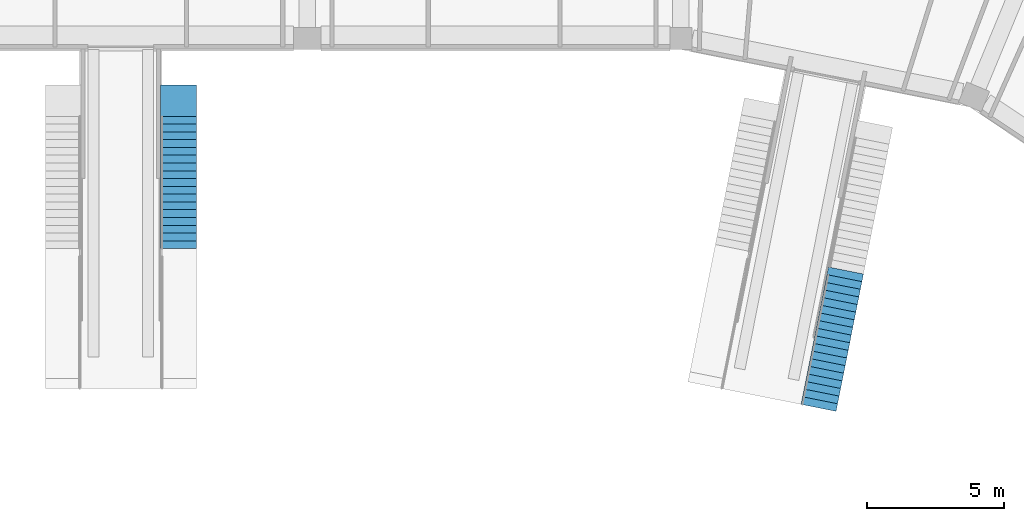
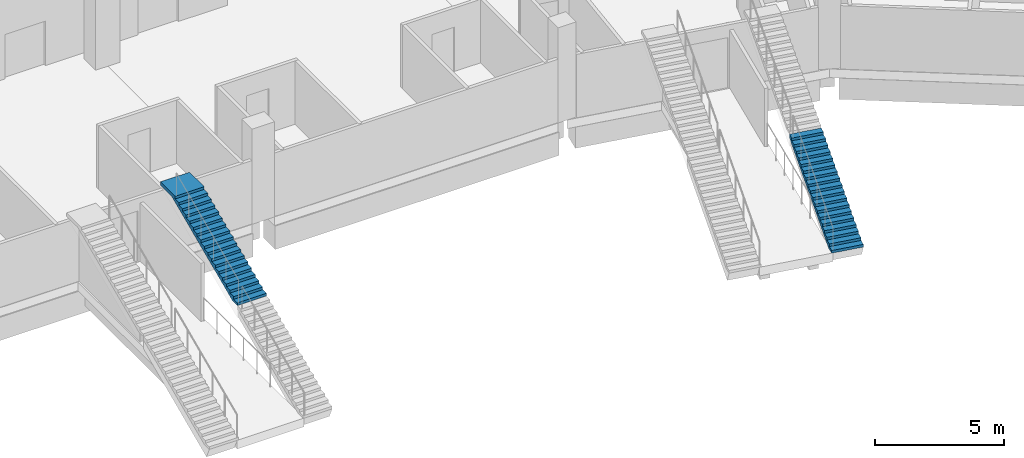
# One storey, part 126 of 175: 2 stair flights, 2 elements without a shape of their own.
"""IFC4 building model written with IfcOpenShell, lengths in metres."""

import ifcopenshell
import ifcopenshell.guid

model = None  # the IFC model being written
_history = None  # IfcOwnerHistory: only IFC2X3 demands one
_inside = {}  # id of a spatial element -> (the spatial element, [elements in it])
_under = {}  # id of a project, library or spatial element -> (it, [spatial elements below it])
_declared = {}  # id of a project -> (the project, [libraries it declares])
_typed = {}  # id of a type object -> (the type object, [elements of that type])
_made_of = {}  # id of a material, layer set ... -> (it, [elements and type objects made of it])


def new_model(schema):
    """Start an empty IFC model of exactly this schema.

    Asked for "IFC4X3", IfcOpenShell would pick the latest addendum, in which some entities
    have other attributes; the version numbers below select the first issue.
    IFC2X3 requires an IfcOwnerHistory on every rooted entity: one is made here for all.
    """
    global model, _history
    if schema == "IFC4X3":
        model = ifcopenshell.file(schema_version=(4, 3, 0, 0))
    else:
        model = ifcopenshell.file(schema=schema)
    _inside.clear()
    _under.clear()
    _declared.clear()
    _typed.clear()
    _made_of.clear()
    _history = None
    if model.schema == "IFC2X3":
        org = make("IfcOrganization", Name="unknown")
        user = make(
            "IfcPersonAndOrganization",
            ThePerson=make("IfcPerson", FamilyName="unknown"),
            TheOrganization=org,
        )
        app = make(
            "IfcApplication",
            ApplicationDeveloper=org,
            Version="unknown",
            ApplicationFullName="unknown",
            ApplicationIdentifier="unknown",
        )
        _history = make(
            "IfcOwnerHistory",
            OwningUser=user,
            OwningApplication=app,
            ChangeAction="ADDED",
            CreationDate=0,
        )
    return model


def make(cls, **values):
    """One entity of the class cls with the attributes given. An attribute that is None is left unset."""
    return model.create_entity(
        cls, **{name: value for name, value in values.items() if value is not None}
    )


def rooted(cls, **values):
    """An entity with a GlobalId (a new one), such as an element, a storey or a relation."""
    return make(cls, GlobalId=ifcopenshell.guid.new(), OwnerHistory=_history, **values)


def si_unit(unit_type, name, prefix=None):
    """IfcSIUnit, for example si_unit("LENGTHUNIT", "METRE", prefix="MILLI")."""
    return make("IfcSIUnit", UnitType=unit_type, Prefix=prefix, Name=name)


def assignment(units):
    """IfcUnitAssignment: the units of a project."""
    return None if units is None else make("IfcUnitAssignment", Units=units)


def point(xyz):
    """IfcCartesianPoint."""
    return None if xyz is None else make("IfcCartesianPoint", Coordinates=xyz)


def direction(xyz):
    """IfcDirection."""
    return None if xyz is None else make("IfcDirection", DirectionRatios=xyz)


def frame(location, z_axis=None, x_axis=None):
    """IfcAxis2Placement3D, a coordinate frame: its origin and axes. An axis left out is left unset."""
    return make(
        "IfcAxis2Placement3D",
        Location=point(location),
        Axis=direction(z_axis),
        RefDirection=direction(x_axis),
    )


def origin():
    """The frame at (0, 0, 0) with its axes left unset."""
    return frame((0.0, 0.0, 0.0))


def place(relative_to, where):
    """IfcLocalPlacement: puts the frame where relative to a parent placement (None: the world)."""
    return make(
        "IfcLocalPlacement", PlacementRelTo=relative_to, RelativePlacement=where
    )


def context(
    kind, dimensions, precision=None, world=None, true_north=None, identifier=None
):
    """IfcGeometricRepresentationContext, for example the 3D "Model" context."""
    return make(
        "IfcGeometricRepresentationContext",
        ContextIdentifier=identifier,
        ContextType=kind,
        CoordinateSpaceDimension=dimensions,
        Precision=precision,
        WorldCoordinateSystem=world,
        TrueNorth=true_north,
    )


def subcontext(parent, identifier, kind, view, scale=None):
    """IfcGeometricRepresentationSubContext, for example "Body" below "Model"."""
    return make(
        "IfcGeometricRepresentationSubContext",
        ContextIdentifier=identifier,
        ContextType=kind,
        ParentContext=parent,
        TargetScale=scale,
        TargetView=view,
    )


def project(units=None, contexts=None):
    """IfcProject with its units and contexts."""
    return rooted(
        "IfcProject",
        Name="project",
        RepresentationContexts=contexts,
        UnitsInContext=assignment(units),
    )


def spatial(cls, under=None, at=None, **own):
    """A site, building, storey or space (cls), placed at a placement, below another one or the project."""
    s = rooted(cls, ObjectPlacement=at, **own)
    if under is not None:
        _under.setdefault(under.id(), (under, []))[1].append(s)
    return s


def faces_of(points, faces, orient=None, outer=None):
    """IfcFace entities. A face is a list of loops; a loop is a list of indices into points, from 0.

    orient and outer hold one flag for each loop. By default every Orientation is true, the
    first loop of a face is its IfcFaceOuterBound and the others are IfcFaceBound.
    """
    made = []
    for i, loops in enumerate(faces):
        bounds = []
        for j, loop in enumerate(loops):
            is_outer = j == 0 if outer is None else outer[i][j]
            bounds.append(
                make(
                    "IfcFaceOuterBound" if is_outer else "IfcFaceBound",
                    Bound=make("IfcPolyLoop", Polygon=[points[k] for k in loop]),
                    Orientation=True if orient is None else orient[i][j],
                )
            )
        made.append(make("IfcFace", Bounds=bounds))
    return made


def faceted_brep(points, faces, orient=None, outer=None, voids=None):
    """IfcFacetedBrep: a solid bounded by flat faces; with voids (closed shells), ...WithVoids."""
    shared = [point(p) for p in points]
    hull = make("IfcClosedShell", CfsFaces=faces_of(shared, faces, orient, outer))
    if voids is None:
        return make("IfcFacetedBrep", Outer=hull)
    return make(
        "IfcFacetedBrepWithVoids",
        Outer=hull,
        Voids=[
            make(cls, CfsFaces=faces_of(shared, fs, o, b)) for cls, fs, o, b in voids
        ],
    )


def shape(context_of_items, identifier, shape_type, items):
    """IfcShapeRepresentation: the items that make up one representation, for example the "Body"."""
    return make(
        "IfcShapeRepresentation",
        ContextOfItems=context_of_items,
        RepresentationIdentifier=identifier,
        RepresentationType=shape_type,
        Items=items,
    )


def material(Name=None, Category=None):
    """IfcMaterial."""
    return make("IfcMaterial", Name=Name, Category=Category)


def made_of(thing, what):
    """Note that an element or type object is made of a material, layer set ...; save() writes the relation."""
    if what is not None:
        _made_of.setdefault(what.id(), (what, []))[1].append(thing)
    return thing


def type_object(cls, material=None, **own):
    """A type object (cls), such as IfcWallType, which elements share."""
    return made_of(rooted(cls, **own), material)


def element(
    cls,
    number,
    at=None,
    inside=None,
    cuts=None,
    type_object=None,
    material=None,
    context=None,
    identifier="Body",
    shape_type=None,
    held_by="IfcProductDefinitionShape",
    body=None,
    shapes=None,
    **own,
):
    """One element of the class cls, such as IfcWall. Its Tag is "e" and its number.

    at: its placement. inside: the storey or other place that contains it. cuts: it is an
    opening in that element (IfcRelVoidsElement). A single representation is given by context,
    identifier, shape_type and body (its items); several are given by shapes. held_by: the class
    of the entity that holds the representations. save() writes the other relations.
    """
    e = rooted(cls, Tag="e%d" % number, ObjectPlacement=at, **own)
    if body is not None:
        shapes = [shape(context, identifier, shape_type, body)]
    if shapes is not None:
        e.Representation = make(held_by, Representations=shapes)
    if inside is not None:
        _inside.setdefault(inside.id(), (inside, []))[1].append(e)
    if cuts is not None:
        rooted(
            "IfcRelVoidsElement", RelatingBuildingElement=cuts, RelatedOpeningElement=e
        )
    if type_object is not None:
        _typed.setdefault(type_object.id(), (type_object, []))[1].append(e)
    return made_of(e, material)


def aggregate(whole, parts):
    """IfcRelAggregates: a whole, such as a stair, and the parts it consists of."""
    return rooted("IfcRelAggregates", RelatingObject=whole, RelatedObjects=parts)


def save(model, path):
    """Write the relations noted so far, then the file.

    IfcRelAggregates (storeys below a building ...), IfcRelContainedInSpatialStructure (elements
    in a storey), IfcRelDefinesByType, IfcRelAssociatesMaterial and IfcRelDeclares: one each for
    every whole, place, type object, material and project.
    """
    for whole, parts in _under.values():
        aggregate(whole, parts)
    for where, things in _inside.values():
        rooted(
            "IfcRelContainedInSpatialStructure",
            RelatedElements=things,
            RelatingStructure=where,
        )
    for kind, things in _typed.values():
        rooted("IfcRelDefinesByType", RelatedObjects=things, RelatingType=kind)
    for what, things in _made_of.values():
        rooted("IfcRelAssociatesMaterial", RelatedObjects=things, RelatingMaterial=what)
    for by, libraries in _declared.values():
        rooted("IfcRelDeclares", RelatingContext=by, RelatedDefinitions=libraries)
    model.write(path)


model = new_model("IFC4")

# Units and contexts
model_context = context("Model", 3, precision=1e-05, world=origin(), true_north=direction((0.0, 1.0)))
body_context = subcontext(model_context, "Body", "Model", "MODEL_VIEW")
ifc_project = project(units=[si_unit("LENGTHUNIT", "METRE"), si_unit("AREAUNIT", "SQUARE_METRE"), si_unit("VOLUMEUNIT", "CUBIC_METRE"), si_unit("PLANEANGLEUNIT", "RADIAN"), si_unit("MASSUNIT", "GRAM", prefix="KILO")], contexts=[model_context])

# Site, building, storey
site_placement = place(None, origin())
site = spatial("IfcSite", under=ifc_project, at=site_placement, CompositionType="ELEMENT")
building_placement = place(site_placement, origin())
building = spatial("IfcBuilding", under=site, at=building_placement, Name="Ogive Plaza Stadium", CompositionType="ELEMENT")
storey_placement = place(building_placement, origin())
storey = spatial("IfcBuildingStorey", under=building, at=storey_placement, Name="L00", CompositionType="ELEMENT", Elevation=0.0)

# Stair, stair flight
ifc_material_1 = material(Name="Concrete C40/50", Category="concrete")
stair_type = type_object("IfcStairType", Name="Aisle stair", PredefinedType="STRAIGHT_RUN_STAIR", material=ifc_material_1)
stair_1_placement = place(storey_placement, origin())
stair_1 = element("IfcStair", 1, at=stair_1_placement, inside=storey, type_object=stair_type, Name="Aisle stair SA35L", PredefinedType="STRAIGHT_RUN_STAIR")
ifc_material_2 = material(Name="Concrete C40/50", Category="concrete")
stair_flight_type = type_object("IfcStairFlightType", Name="Aisle stair flight", PredefinedType="STRAIGHT", material=ifc_material_2)
stair_flight_1_placement = place(storey_placement, frame((15.699951171875, 72.75, 2.25), z_axis=(0.0, 0.0, 1.0), x_axis=(0.0, 1.0, 0.0)))
stair_flight_1 = element("IfcStairFlight", 2, at=stair_flight_1_placement, type_object=stair_flight_type, Name="SA35L flight 2", NumberOfRisers=18, NumberOfTreads=17, PredefinedType="STRAIGHT", RiserHeight=0.125, TreadLength=0.283333333, context=body_context, shape_type="Brep", body=[
    faceted_brep([(0.371337890625, -0.64990234375, 0.0), (5.10009765625, -0.64990234375, 2.086181640625), (5.949951171875, -0.64990234375, 2.086181640625), (5.949951171875, -0.64990234375, 2.25), (4.816650390625, -0.64990234375, 2.25), (4.816650390625, -0.64990234375, 2.125), (4.533447265625, -0.64990234375, 2.125), (4.533447265625, -0.64990234375, 2.0), (4.25, -0.64990234375, 2.0), (4.25, -0.64990234375, 1.875), (3.966552734375, -0.64990234375, 1.875), (3.966552734375, -0.64990234375, 1.75), (3.683349609375, -0.64990234375, 1.75), (3.683349609375, -0.64990234375, 1.625), (3.39990234375, -0.64990234375, 1.625), (3.39990234375, -0.64990234375, 1.5), (3.11669921875, -0.64990234375, 1.5), (3.11669921875, -0.64990234375, 1.375), (2.833251953125, -0.64990234375, 1.375), (2.833251953125, -0.64990234375, 1.25), (2.550048828125, -0.64990234375, 1.25), (2.550048828125, -0.64990234375, 1.125), (2.2666015625, -0.64990234375, 1.125), (2.2666015625, -0.64990234375, 1.0), (1.9833984375, -0.64990234375, 1.0), (1.9833984375, -0.64990234375, 0.875), (1.699951171875, -0.64990234375, 0.875), (1.699951171875, -0.64990234375, 0.75), (1.416748046875, -0.64990234375, 0.75), (1.416748046875, -0.64990234375, 0.625), (1.13330078125, -0.64990234375, 0.625), (1.13330078125, -0.64990234375, 0.5), (0.85009765625, -0.64990234375, 0.5), (0.85009765625, -0.64990234375, 0.375), (0.566650390625, -0.64990234375, 0.375), (0.566650390625, -0.64990234375, 0.25), (0.283447265625, -0.64990234375, 0.25), (0.283447265625, -0.64990234375, 0.125), (0.0, -0.64990234375, 0.125), (0.0, -0.64990234375, 0.0), (0.0, 0.64990234375, 0.0), (0.0, 0.64990234375, 0.125), (0.283447265625, 0.64990234375, 0.125), (0.283447265625, 0.64990234375, 0.25), (0.566650390625, 0.64990234375, 0.25), (0.566650390625, 0.64990234375, 0.375), (0.85009765625, 0.64990234375, 0.375), (0.85009765625, 0.64990234375, 0.5), (1.13330078125, 0.64990234375, 0.5), (1.13330078125, 0.64990234375, 0.625), (1.416748046875, 0.64990234375, 0.625), (1.416748046875, 0.64990234375, 0.75), (1.699951171875, 0.64990234375, 0.75), (1.699951171875, 0.64990234375, 0.875), (1.9833984375, 0.64990234375, 0.875), (1.9833984375, 0.64990234375, 1.0), (2.2666015625, 0.64990234375, 1.0), (2.2666015625, 0.64990234375, 1.125), (2.550048828125, 0.64990234375, 1.125), (2.550048828125, 0.64990234375, 1.25), (2.833251953125, 0.64990234375, 1.25), (2.833251953125, 0.64990234375, 1.375), (3.11669921875, 0.64990234375, 1.375), (3.11669921875, 0.64990234375, 1.5), (3.39990234375, 0.64990234375, 1.5), (3.39990234375, 0.64990234375, 1.625), (3.683349609375, 0.64990234375, 1.625), (3.683349609375, 0.64990234375, 1.75), (3.966552734375, 0.64990234375, 1.75), (3.966552734375, 0.64990234375, 1.875), (4.25, 0.64990234375, 1.875), (4.25, 0.64990234375, 2.0), (4.533447265625, 0.64990234375, 2.0), (4.533447265625, 0.64990234375, 2.125), (4.816650390625, 0.64990234375, 2.125), (4.816650390625, 0.64990234375, 2.25), (5.949951171875, 0.64990234375, 2.25), (5.949951171875, 0.64990234375, 2.086181640625), (5.10009765625, 0.64990234375, 2.086181640625), (0.371337890625, 0.64990234375, 0.0), (0.371337890625, -0.324951171875, 0.0), (5.10009765625, -0.324951171875, 2.086181640625), (0.371337890625, 0.0, 0.0), (5.10009765625, 0.0, 2.086181640625), (0.371337890625, 0.324951171875, 0.0), (5.10009765625, 0.324951171875, 2.086181640625), (5.949951171875, -0.324951171875, 2.086181640625), (5.949951171875, 0.0, 2.086181640625), (5.949951171875, 0.324951171875, 2.086181640625), (5.949951171875, -0.324951171875, 2.25), (5.949951171875, 0.0, 2.25), (5.949951171875, 0.324951171875, 2.25), (4.816650390625, -0.324951171875, 2.25), (4.816650390625, 0.0, 2.25), (4.816650390625, 0.324951171875, 2.25), (4.816650390625, -0.324951171875, 2.125), (4.816650390625, 0.0, 2.125), (4.816650390625, 0.324951171875, 2.125), (4.533447265625, -0.324951171875, 2.125), (4.533447265625, 0.0, 2.125), (4.533447265625, 0.324951171875, 2.125), (4.533447265625, -0.324951171875, 2.0), (4.533447265625, 0.0, 2.0), (4.533447265625, 0.324951171875, 2.0), (4.25, -0.324951171875, 2.0), (4.25, 0.0, 2.0), (4.25, 0.324951171875, 2.0), (4.25, -0.324951171875, 1.875), (4.25, 0.0, 1.875), (4.25, 0.324951171875, 1.875), (3.966552734375, -0.324951171875, 1.875), (3.966552734375, 0.0, 1.875), (3.966552734375, 0.324951171875, 1.875), (3.966552734375, -0.324951171875, 1.75), (3.966552734375, 0.0, 1.75), (3.966552734375, 0.324951171875, 1.75), (3.683349609375, -0.324951171875, 1.75), (3.683349609375, 0.0, 1.75), (3.683349609375, 0.324951171875, 1.75), (3.683349609375, -0.324951171875, 1.625), (3.683349609375, 0.0, 1.625), (3.683349609375, 0.324951171875, 1.625), (3.39990234375, -0.324951171875, 1.625), (3.39990234375, 0.0, 1.625), (3.39990234375, 0.324951171875, 1.625), (3.39990234375, -0.324951171875, 1.5), (3.39990234375, 0.0, 1.5), (3.39990234375, 0.324951171875, 1.5), (3.11669921875, -0.324951171875, 1.5), (3.11669921875, 0.0, 1.5), (3.11669921875, 0.324951171875, 1.5), (3.11669921875, -0.324951171875, 1.375), (3.11669921875, 0.0, 1.375), (3.11669921875, 0.324951171875, 1.375), (2.833251953125, -0.324951171875, 1.375), (2.833251953125, 0.0, 1.375), (2.833251953125, 0.324951171875, 1.375), (2.833251953125, -0.324951171875, 1.25), (2.833251953125, 0.0, 1.25), (2.833251953125, 0.324951171875, 1.25), (2.550048828125, -0.324951171875, 1.25), (2.550048828125, 0.0, 1.25), (2.550048828125, 0.324951171875, 1.25), (2.550048828125, -0.324951171875, 1.125), (2.550048828125, 0.0, 1.125), (2.550048828125, 0.324951171875, 1.125), (2.2666015625, -0.324951171875, 1.125), (2.2666015625, 0.0, 1.125), (2.2666015625, 0.324951171875, 1.125), (2.2666015625, -0.324951171875, 1.0), (2.2666015625, 0.0, 1.0), (2.2666015625, 0.324951171875, 1.0), (1.9833984375, -0.324951171875, 1.0), (1.9833984375, 0.0, 1.0), (1.9833984375, 0.324951171875, 1.0), (1.9833984375, -0.324951171875, 0.875), (1.9833984375, 0.0, 0.875), (1.9833984375, 0.324951171875, 0.875), (1.699951171875, -0.324951171875, 0.875), (1.699951171875, 0.0, 0.875), (1.699951171875, 0.324951171875, 0.875), (1.699951171875, -0.324951171875, 0.75), (1.699951171875, 0.0, 0.75), (1.699951171875, 0.324951171875, 0.75), (1.416748046875, -0.324951171875, 0.75), (1.416748046875, 0.0, 0.75), (1.416748046875, 0.324951171875, 0.75), (1.416748046875, -0.324951171875, 0.625), (1.416748046875, 0.0, 0.625), (1.416748046875, 0.324951171875, 0.625), (1.13330078125, -0.324951171875, 0.625), (1.13330078125, 0.0, 0.625), (1.13330078125, 0.324951171875, 0.625), (1.13330078125, -0.324951171875, 0.5), (1.13330078125, 0.0, 0.5), (1.13330078125, 0.324951171875, 0.5), (0.85009765625, -0.324951171875, 0.5), (0.85009765625, 0.0, 0.5), (0.85009765625, 0.324951171875, 0.5), (0.85009765625, -0.324951171875, 0.375), (0.85009765625, 0.0, 0.375), (0.85009765625, 0.324951171875, 0.375), (0.566650390625, -0.324951171875, 0.375), (0.566650390625, 0.0, 0.375), (0.566650390625, 0.324951171875, 0.375), (0.566650390625, -0.324951171875, 0.25), (0.566650390625, 0.0, 0.25), (0.566650390625, 0.324951171875, 0.25), (0.283447265625, -0.324951171875, 0.25), (0.283447265625, 0.0, 0.25), (0.283447265625, 0.324951171875, 0.25), (0.283447265625, -0.324951171875, 0.125), (0.283447265625, 0.0, 0.125), (0.283447265625, 0.324951171875, 0.125), (0.0, -0.324951171875, 0.125), (0.0, 0.0, 0.125), (0.0, 0.324951171875, 0.125), (0.0, -0.324951171875, 0.0), (0.0, 0.0, 0.0), (0.0, 0.324951171875, 0.0)], [[[0, 1, 2, 3, 4, 5, 6, 7, 8, 9, 10, 11, 12, 13, 14, 15, 16, 17, 18, 19, 20, 21, 22, 23, 24, 25, 26, 27, 28, 29, 30, 31, 32, 33, 34, 35, 36, 37, 38, 39]], [[40, 41, 42, 43, 44, 45, 46, 47, 48, 49, 50, 51, 52, 53, 54, 55, 56, 57, 58, 59, 60, 61, 62, 63, 64, 65, 66, 67, 68, 69, 70, 71, 72, 73, 74, 75, 76, 77, 78, 79]], [[0, 80, 81, 1]], [[80, 82, 83, 81]], [[82, 84, 85, 83]], [[84, 79, 78, 85]], [[1, 81, 86, 2]], [[81, 83, 87, 86]], [[83, 85, 88, 87]], [[85, 78, 77, 88]], [[2, 86, 89, 3]], [[86, 87, 90, 89]], [[87, 88, 91, 90]], [[88, 77, 76, 91]], [[3, 89, 92, 4]], [[89, 90, 93, 92]], [[90, 91, 94, 93]], [[91, 76, 75, 94]], [[4, 92, 95, 5]], [[92, 93, 96, 95]], [[93, 94, 97, 96]], [[94, 75, 74, 97]], [[5, 95, 98, 6]], [[95, 96, 99, 98]], [[96, 97, 100, 99]], [[97, 74, 73, 100]], [[6, 98, 101, 7]], [[98, 99, 102, 101]], [[99, 100, 103, 102]], [[100, 73, 72, 103]], [[7, 101, 104, 8]], [[101, 102, 105, 104]], [[102, 103, 106, 105]], [[103, 72, 71, 106]], [[8, 104, 107, 9]], [[104, 105, 108, 107]], [[105, 106, 109, 108]], [[106, 71, 70, 109]], [[9, 107, 110, 10]], [[107, 108, 111, 110]], [[108, 109, 112, 111]], [[109, 70, 69, 112]], [[10, 110, 113, 11]], [[110, 111, 114, 113]], [[111, 112, 115, 114]], [[112, 69, 68, 115]], [[11, 113, 116, 12]], [[113, 114, 117, 116]], [[114, 115, 118, 117]], [[115, 68, 67, 118]], [[12, 116, 119, 13]], [[116, 117, 120, 119]], [[117, 118, 121, 120]], [[118, 67, 66, 121]], [[13, 119, 122, 14]], [[119, 120, 123, 122]], [[120, 121, 124, 123]], [[121, 66, 65, 124]], [[14, 122, 125, 15]], [[122, 123, 126, 125]], [[123, 124, 127, 126]], [[124, 65, 64, 127]], [[15, 125, 128, 16]], [[125, 126, 129, 128]], [[126, 127, 130, 129]], [[127, 64, 63, 130]], [[16, 128, 131, 17]], [[128, 129, 132, 131]], [[129, 130, 133, 132]], [[130, 63, 62, 133]], [[17, 131, 134, 18]], [[131, 132, 135, 134]], [[132, 133, 136, 135]], [[133, 62, 61, 136]], [[18, 134, 137, 19]], [[134, 135, 138, 137]], [[135, 136, 139, 138]], [[136, 61, 60, 139]], [[19, 137, 140, 20]], [[137, 138, 141, 140]], [[138, 139, 142, 141]], [[139, 60, 59, 142]], [[20, 140, 143, 21]], [[140, 141, 144, 143]], [[141, 142, 145, 144]], [[142, 59, 58, 145]], [[21, 143, 146, 22]], [[143, 144, 147, 146]], [[144, 145, 148, 147]], [[145, 58, 57, 148]], [[22, 146, 149, 23]], [[146, 147, 150, 149]], [[147, 148, 151, 150]], [[148, 57, 56, 151]], [[23, 149, 152, 24]], [[149, 150, 153, 152]], [[150, 151, 154, 153]], [[151, 56, 55, 154]], [[24, 152, 155, 25]], [[152, 153, 156, 155]], [[153, 154, 157, 156]], [[154, 55, 54, 157]], [[25, 155, 158, 26]], [[155, 156, 159, 158]], [[156, 157, 160, 159]], [[157, 54, 53, 160]], [[26, 158, 161, 27]], [[158, 159, 162, 161]], [[159, 160, 163, 162]], [[160, 53, 52, 163]], [[27, 161, 164, 28]], [[161, 162, 165, 164]], [[162, 163, 166, 165]], [[163, 52, 51, 166]], [[28, 164, 167, 29]], [[164, 165, 168, 167]], [[165, 166, 169, 168]], [[166, 51, 50, 169]], [[29, 167, 170, 30]], [[167, 168, 171, 170]], [[168, 169, 172, 171]], [[169, 50, 49, 172]], [[30, 170, 173, 31]], [[170, 171, 174, 173]], [[171, 172, 175, 174]], [[172, 49, 48, 175]], [[31, 173, 176, 32]], [[173, 174, 177, 176]], [[174, 175, 178, 177]], [[175, 48, 47, 178]], [[32, 176, 179, 33]], [[176, 177, 180, 179]], [[177, 178, 181, 180]], [[178, 47, 46, 181]], [[33, 179, 182, 34]], [[179, 180, 183, 182]], [[180, 181, 184, 183]], [[181, 46, 45, 184]], [[34, 182, 185, 35]], [[182, 183, 186, 185]], [[183, 184, 187, 186]], [[184, 45, 44, 187]], [[35, 185, 188, 36]], [[185, 186, 189, 188]], [[186, 187, 190, 189]], [[187, 44, 43, 190]], [[36, 188, 191, 37]], [[188, 189, 192, 191]], [[189, 190, 193, 192]], [[190, 43, 42, 193]], [[37, 191, 194, 38]], [[191, 192, 195, 194]], [[192, 193, 196, 195]], [[193, 42, 41, 196]], [[38, 194, 197, 39]], [[194, 195, 198, 197]], [[195, 196, 199, 198]], [[196, 41, 40, 199]], [[39, 197, 80, 0]], [[197, 198, 82, 80]], [[198, 199, 84, 82]], [[199, 40, 79, 84]]]),
])
aggregate(stair_1, [stair_flight_1])

stair_2_placement = place(storey_placement, origin())
stair_2 = element("IfcStair", 3, at=stair_2_placement, inside=storey, type_object=stair_type, Name="Aisle stair SA37L", PredefinedType="STRAIGHT_RUN_STAIR")
stair_flight_2_placement = place(storey_placement, frame((39.015380859375, 66.94921875, 0.0), z_axis=(0.0, 0.0, 1.0), x_axis=(0.195090322016, 0.980785280403, 0.0)))
stair_flight_2 = element("IfcStairFlight", 4, at=stair_flight_2_placement, type_object=stair_flight_type, Name="SA37L flight 1", NumberOfRisers=18, NumberOfTreads=17, PredefinedType="STRAIGHT", RiserHeight=0.125, TreadLength=0.283333333, context=body_context, shape_type="Brep", body=[
    faceted_brep([(0.371337890625, -0.64990234375, 0.0), (5.10009765625, -0.64990234375, 2.086181640625), (5.10009765625, -0.64990234375, 2.25), (4.816650390625, -0.64990234375, 2.25), (4.816650390625, -0.64990234375, 2.125), (4.533447265625, -0.64990234375, 2.125), (4.533447265625, -0.64990234375, 2.0), (4.25, -0.64990234375, 2.0), (4.25, -0.64990234375, 1.875), (3.966552734375, -0.64990234375, 1.875), (3.966552734375, -0.64990234375, 1.75), (3.683349609375, -0.64990234375, 1.75), (3.683349609375, -0.64990234375, 1.625), (3.39990234375, -0.64990234375, 1.625), (3.39990234375, -0.64990234375, 1.5), (3.11669921875, -0.64990234375, 1.5), (3.11669921875, -0.64990234375, 1.375), (2.833251953125, -0.64990234375, 1.375), (2.833251953125, -0.64990234375, 1.25), (2.550048828125, -0.64990234375, 1.25), (2.550048828125, -0.64990234375, 1.125), (2.2666015625, -0.64990234375, 1.125), (2.2666015625, -0.64990234375, 1.0), (1.9833984375, -0.64990234375, 1.0), (1.9833984375, -0.64990234375, 0.875), (1.699951171875, -0.64990234375, 0.875), (1.699951171875, -0.64990234375, 0.75), (1.416748046875, -0.64990234375, 0.75), (1.416748046875, -0.64990234375, 0.625), (1.13330078125, -0.64990234375, 0.625), (1.13330078125, -0.64990234375, 0.5), (0.85009765625, -0.64990234375, 0.5), (0.85009765625, -0.64990234375, 0.375), (0.566650390625, -0.64990234375, 0.375), (0.566650390625, -0.64990234375, 0.25), (0.283447265625, -0.64990234375, 0.25), (0.283447265625, -0.64990234375, 0.125), (0.0, -0.64990234375, 0.125), (0.0, -0.64990234375, 0.0), (0.0, 0.64990234375, 0.0), (0.0, 0.64990234375, 0.125), (0.283447265625, 0.64990234375, 0.125), (0.283447265625, 0.64990234375, 0.25), (0.566650390625, 0.64990234375, 0.25), (0.566650390625, 0.64990234375, 0.375), (0.85009765625, 0.64990234375, 0.375), (0.85009765625, 0.64990234375, 0.5), (1.13330078125, 0.64990234375, 0.5), (1.13330078125, 0.64990234375, 0.625), (1.416748046875, 0.64990234375, 0.625), (1.416748046875, 0.64990234375, 0.75), (1.699951171875, 0.64990234375, 0.75), (1.699951171875, 0.64990234375, 0.875), (1.9833984375, 0.64990234375, 0.875), (1.9833984375, 0.64990234375, 1.0), (2.2666015625, 0.64990234375, 1.0), (2.2666015625, 0.64990234375, 1.125), (2.550048828125, 0.64990234375, 1.125), (2.550048828125, 0.64990234375, 1.25), (2.833251953125, 0.64990234375, 1.25), (2.833251953125, 0.64990234375, 1.375), (3.11669921875, 0.64990234375, 1.375), (3.11669921875, 0.64990234375, 1.5), (3.39990234375, 0.64990234375, 1.5), (3.39990234375, 0.64990234375, 1.625), (3.683349609375, 0.64990234375, 1.625), (3.683349609375, 0.64990234375, 1.75), (3.966552734375, 0.64990234375, 1.75), (3.966552734375, 0.64990234375, 1.875), (4.25, 0.64990234375, 1.875), (4.25, 0.64990234375, 2.0), (4.533447265625, 0.64990234375, 2.0), (4.533447265625, 0.64990234375, 2.125), (4.816650390625, 0.64990234375, 2.125), (4.816650390625, 0.64990234375, 2.25), (5.10009765625, 0.64990234375, 2.25), (5.10009765625, 0.64990234375, 2.086181640625), (0.371337890625, 0.64990234375, 0.0), (0.371337890625, -0.324951171875, 0.0), (5.10009765625, -0.324951171875, 2.086181640625), (0.371337890625, 0.0, 0.0), (5.10009765625, 0.0, 2.086181640625), (0.371337890625, 0.324951171875, 0.0), (5.10009765625, 0.324951171875, 2.086181640625), (5.10009765625, -0.324951171875, 2.25), (5.10009765625, 0.0, 2.25), (5.10009765625, 0.324951171875, 2.25), (4.816650390625, -0.324951171875, 2.25), (4.816650390625, 0.0, 2.25), (4.816650390625, 0.324951171875, 2.25), (4.816650390625, -0.324951171875, 2.125), (4.816650390625, 0.0, 2.125), (4.816650390625, 0.324951171875, 2.125), (4.533447265625, -0.324951171875, 2.125), (4.533447265625, 0.0, 2.125), (4.533447265625, 0.324951171875, 2.125), (4.533447265625, -0.324951171875, 2.0), (4.533447265625, 0.0, 2.0), (4.533447265625, 0.324951171875, 2.0), (4.25, -0.324951171875, 2.0), (4.25, 0.0, 2.0), (4.25, 0.324951171875, 2.0), (4.25, -0.324951171875, 1.875), (4.25, 0.0, 1.875), (4.25, 0.324951171875, 1.875), (3.966552734375, -0.324951171875, 1.875), (3.966552734375, 0.0, 1.875), (3.966552734375, 0.324951171875, 1.875), (3.966552734375, -0.324951171875, 1.75), (3.966552734375, 0.0, 1.75), (3.966552734375, 0.324951171875, 1.75), (3.683349609375, -0.324951171875, 1.75), (3.683349609375, 0.0, 1.75), (3.683349609375, 0.324951171875, 1.75), (3.683349609375, -0.324951171875, 1.625), (3.683349609375, 0.0, 1.625), (3.683349609375, 0.324951171875, 1.625), (3.39990234375, -0.324951171875, 1.625), (3.39990234375, 0.0, 1.625), (3.39990234375, 0.324951171875, 1.625), (3.39990234375, -0.324951171875, 1.5), (3.39990234375, 0.0, 1.5), (3.39990234375, 0.324951171875, 1.5), (3.11669921875, -0.324951171875, 1.5), (3.11669921875, 0.0, 1.5), (3.11669921875, 0.324951171875, 1.5), (3.11669921875, -0.324951171875, 1.375), (3.11669921875, 0.0, 1.375), (3.11669921875, 0.324951171875, 1.375), (2.833251953125, -0.324951171875, 1.375), (2.833251953125, 0.0, 1.375), (2.833251953125, 0.324951171875, 1.375), (2.833251953125, -0.324951171875, 1.25), (2.833251953125, 0.0, 1.25), (2.833251953125, 0.324951171875, 1.25), (2.550048828125, -0.324951171875, 1.25), (2.550048828125, 0.0, 1.25), (2.550048828125, 0.324951171875, 1.25), (2.550048828125, -0.324951171875, 1.125), (2.550048828125, 0.0, 1.125), (2.550048828125, 0.324951171875, 1.125), (2.2666015625, -0.324951171875, 1.125), (2.2666015625, 0.0, 1.125), (2.2666015625, 0.324951171875, 1.125), (2.2666015625, -0.324951171875, 1.0), (2.2666015625, 0.0, 1.0), (2.2666015625, 0.324951171875, 1.0), (1.9833984375, -0.324951171875, 1.0), (1.9833984375, 0.0, 1.0), (1.9833984375, 0.324951171875, 1.0), (1.9833984375, -0.324951171875, 0.875), (1.9833984375, 0.0, 0.875), (1.9833984375, 0.324951171875, 0.875), (1.699951171875, -0.324951171875, 0.875), (1.699951171875, 0.0, 0.875), (1.699951171875, 0.324951171875, 0.875), (1.699951171875, -0.324951171875, 0.75), (1.699951171875, 0.0, 0.75), (1.699951171875, 0.324951171875, 0.75), (1.416748046875, -0.324951171875, 0.75), (1.416748046875, 0.0, 0.75), (1.416748046875, 0.324951171875, 0.75), (1.416748046875, -0.324951171875, 0.625), (1.416748046875, 0.0, 0.625), (1.416748046875, 0.324951171875, 0.625), (1.13330078125, -0.324951171875, 0.625), (1.13330078125, 0.0, 0.625), (1.13330078125, 0.324951171875, 0.625), (1.13330078125, -0.324951171875, 0.5), (1.13330078125, 0.0, 0.5), (1.13330078125, 0.324951171875, 0.5), (0.85009765625, -0.324951171875, 0.5), (0.85009765625, 0.0, 0.5), (0.85009765625, 0.324951171875, 0.5), (0.85009765625, -0.324951171875, 0.375), (0.85009765625, 0.0, 0.375), (0.85009765625, 0.324951171875, 0.375), (0.566650390625, -0.324951171875, 0.375), (0.566650390625, 0.0, 0.375), (0.566650390625, 0.324951171875, 0.375), (0.566650390625, -0.324951171875, 0.25), (0.566650390625, 0.0, 0.25), (0.566650390625, 0.324951171875, 0.25), (0.283447265625, -0.324951171875, 0.25), (0.283447265625, 0.0, 0.25), (0.283447265625, 0.324951171875, 0.25), (0.283447265625, -0.324951171875, 0.125), (0.283447265625, 0.0, 0.125), (0.283447265625, 0.324951171875, 0.125), (0.0, -0.324951171875, 0.125), (0.0, 0.0, 0.125), (0.0, 0.324951171875, 0.125), (0.0, -0.324951171875, 0.0), (0.0, 0.0, 0.0), (0.0, 0.324951171875, 0.0)], [[[0, 1, 2, 3, 4, 5, 6, 7, 8, 9, 10, 11, 12, 13, 14, 15, 16, 17, 18, 19, 20, 21, 22, 23, 24, 25, 26, 27, 28, 29, 30, 31, 32, 33, 34, 35, 36, 37, 38]], [[39, 40, 41, 42, 43, 44, 45, 46, 47, 48, 49, 50, 51, 52, 53, 54, 55, 56, 57, 58, 59, 60, 61, 62, 63, 64, 65, 66, 67, 68, 69, 70, 71, 72, 73, 74, 75, 76, 77]], [[0, 78, 79, 1]], [[78, 80, 81, 79]], [[80, 82, 83, 81]], [[82, 77, 76, 83]], [[1, 79, 84, 2]], [[79, 81, 85, 84]], [[81, 83, 86, 85]], [[83, 76, 75, 86]], [[2, 84, 87, 3]], [[84, 85, 88, 87]], [[85, 86, 89, 88]], [[86, 75, 74, 89]], [[3, 87, 90, 4]], [[87, 88, 91, 90]], [[88, 89, 92, 91]], [[89, 74, 73, 92]], [[4, 90, 93, 5]], [[90, 91, 94, 93]], [[91, 92, 95, 94]], [[92, 73, 72, 95]], [[5, 93, 96, 6]], [[93, 94, 97, 96]], [[94, 95, 98, 97]], [[95, 72, 71, 98]], [[6, 96, 99, 7]], [[96, 97, 100, 99]], [[97, 98, 101, 100]], [[98, 71, 70, 101]], [[7, 99, 102, 8]], [[99, 100, 103, 102]], [[100, 101, 104, 103]], [[101, 70, 69, 104]], [[8, 102, 105, 9]], [[102, 103, 106, 105]], [[103, 104, 107, 106]], [[104, 69, 68, 107]], [[9, 105, 108, 10]], [[105, 106, 109, 108]], [[106, 107, 110, 109]], [[107, 68, 67, 110]], [[10, 108, 111, 11]], [[108, 109, 112, 111]], [[109, 110, 113, 112]], [[110, 67, 66, 113]], [[11, 111, 114, 12]], [[111, 112, 115, 114]], [[112, 113, 116, 115]], [[113, 66, 65, 116]], [[12, 114, 117, 13]], [[114, 115, 118, 117]], [[115, 116, 119, 118]], [[116, 65, 64, 119]], [[13, 117, 120, 14]], [[117, 118, 121, 120]], [[118, 119, 122, 121]], [[119, 64, 63, 122]], [[14, 120, 123, 15]], [[120, 121, 124, 123]], [[121, 122, 125, 124]], [[122, 63, 62, 125]], [[15, 123, 126, 16]], [[123, 124, 127, 126]], [[124, 125, 128, 127]], [[125, 62, 61, 128]], [[16, 126, 129, 17]], [[126, 127, 130, 129]], [[127, 128, 131, 130]], [[128, 61, 60, 131]], [[17, 129, 132, 18]], [[129, 130, 133, 132]], [[130, 131, 134, 133]], [[131, 60, 59, 134]], [[18, 132, 135, 19]], [[132, 133, 136, 135]], [[133, 134, 137, 136]], [[134, 59, 58, 137]], [[19, 135, 138, 20]], [[135, 136, 139, 138]], [[136, 137, 140, 139]], [[137, 58, 57, 140]], [[20, 138, 141, 21]], [[138, 139, 142, 141]], [[139, 140, 143, 142]], [[140, 57, 56, 143]], [[21, 141, 144, 22]], [[141, 142, 145, 144]], [[142, 143, 146, 145]], [[143, 56, 55, 146]], [[22, 144, 147, 23]], [[144, 145, 148, 147]], [[145, 146, 149, 148]], [[146, 55, 54, 149]], [[23, 147, 150, 24]], [[147, 148, 151, 150]], [[148, 149, 152, 151]], [[149, 54, 53, 152]], [[24, 150, 153, 25]], [[150, 151, 154, 153]], [[151, 152, 155, 154]], [[152, 53, 52, 155]], [[25, 153, 156, 26]], [[153, 154, 157, 156]], [[154, 155, 158, 157]], [[155, 52, 51, 158]], [[26, 156, 159, 27]], [[156, 157, 160, 159]], [[157, 158, 161, 160]], [[158, 51, 50, 161]], [[27, 159, 162, 28]], [[159, 160, 163, 162]], [[160, 161, 164, 163]], [[161, 50, 49, 164]], [[28, 162, 165, 29]], [[162, 163, 166, 165]], [[163, 164, 167, 166]], [[164, 49, 48, 167]], [[29, 165, 168, 30]], [[165, 166, 169, 168]], [[166, 167, 170, 169]], [[167, 48, 47, 170]], [[30, 168, 171, 31]], [[168, 169, 172, 171]], [[169, 170, 173, 172]], [[170, 47, 46, 173]], [[31, 171, 174, 32]], [[171, 172, 175, 174]], [[172, 173, 176, 175]], [[173, 46, 45, 176]], [[32, 174, 177, 33]], [[174, 175, 178, 177]], [[175, 176, 179, 178]], [[176, 45, 44, 179]], [[33, 177, 180, 34]], [[177, 178, 181, 180]], [[178, 179, 182, 181]], [[179, 44, 43, 182]], [[34, 180, 183, 35]], [[180, 181, 184, 183]], [[181, 182, 185, 184]], [[182, 43, 42, 185]], [[35, 183, 186, 36]], [[183, 184, 187, 186]], [[184, 185, 188, 187]], [[185, 42, 41, 188]], [[36, 186, 189, 37]], [[186, 187, 190, 189]], [[187, 188, 191, 190]], [[188, 41, 40, 191]], [[37, 189, 192, 38]], [[189, 190, 193, 192]], [[190, 191, 194, 193]], [[191, 40, 39, 194]], [[38, 192, 78, 0]], [[192, 193, 80, 78]], [[193, 194, 82, 80]], [[194, 39, 77, 82]]]),
])
aggregate(stair_2, [stair_flight_2])

save(model, "model.ifc")
